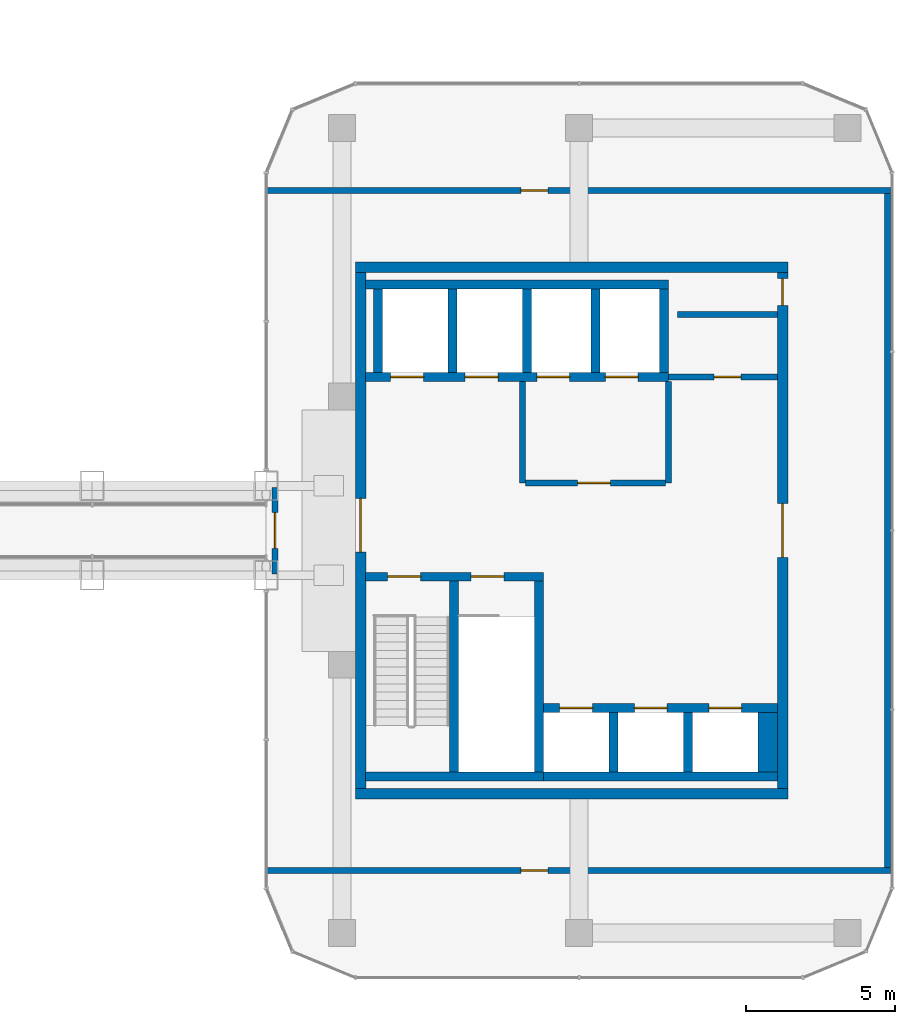
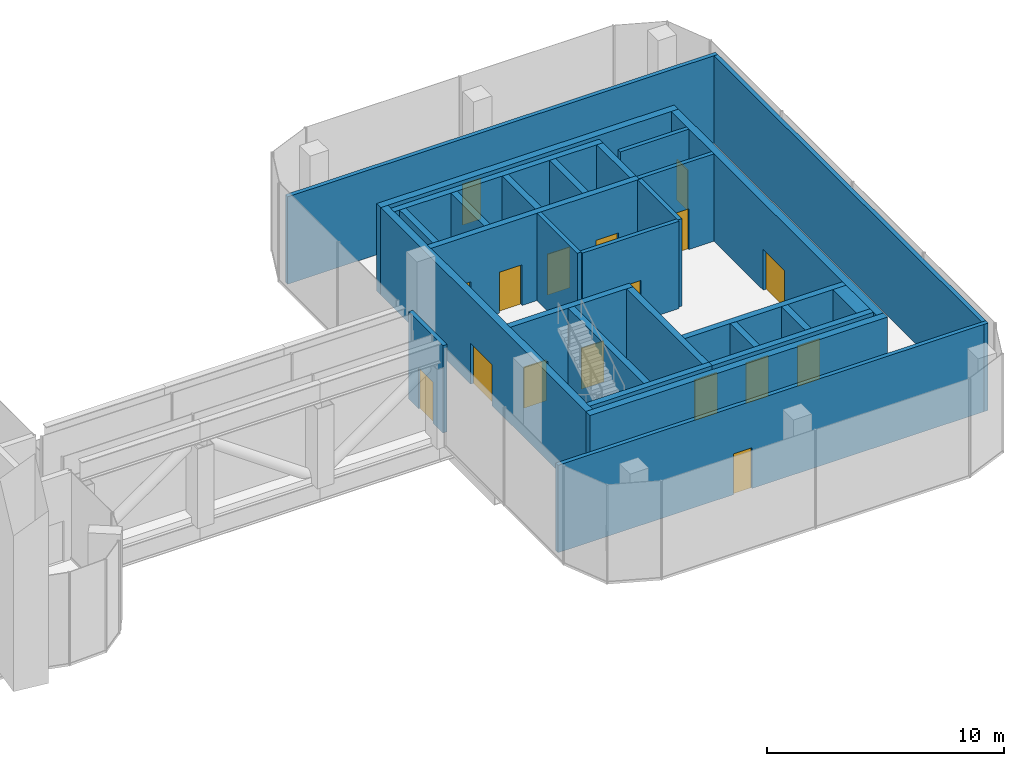
# One storey, part 18 of 23: 29 walls, 17 doors, 17 openings.
"""IFC4 building model written with IfcOpenShell, lengths in metres."""

from ifc_helpers import new_model, si_unit, direction, frame, frame_2d, origin, place, context, subcontext, project, spatial, rectangle, extrude, material, layer, layer_set, type_object, element, fill, save


model = new_model("IFC4")

# Units and contexts
model_context = context("Model", 3, precision=1e-05, world=origin(), true_north=direction((0.0, 1.0)))
body_context = subcontext(model_context, "Body", "Model", "MODEL_VIEW")
ifc_project = project(units=[si_unit("LENGTHUNIT", "METRE"), si_unit("AREAUNIT", "SQUARE_METRE"), si_unit("VOLUMEUNIT", "CUBIC_METRE"), si_unit("PLANEANGLEUNIT", "RADIAN"), si_unit("MASSUNIT", "GRAM", prefix="KILO")], contexts=[model_context])

# Site, building, storey
site_placement = place(None, origin())
site = spatial("IfcSite", under=ifc_project, at=site_placement, CompositionType="ELEMENT")
building_placement = place(site_placement, origin())
building = spatial("IfcBuilding", under=site, at=building_placement, Name="Plateau Cross Towers", CompositionType="ELEMENT")
storey_placement = place(building_placement, frame((0.0, 0.0, 123.800048828125)))
storey = spatial("IfcBuildingStorey", under=building, at=storey_placement, Name="L32", CompositionType="ELEMENT", Elevation=123.800048828125)

# Wall
ifc_material_1 = material(Name="Concrete block, plastered both sides", Category="concrete")
ifc_layer_1 = layer(ifc_material_1, 0.199951171875)
ifc_layer_set_1 = layer_set([ifc_layer_1], Name="Concrete block, plastered both sides")
wall_type_1 = type_object("IfcWallType", Name="Core partition 200", PredefinedType="PARTITIONING", material=ifc_layer_set_1)
wall_1_placement = place(storey_placement, frame((80.60009765625, 10.60009765625, 0.0), z_axis=(0.0, 0.0, 1.0), x_axis=(0.0, 1.0, 0.0)))
element("IfcWall", 1, at=wall_1_placement, inside=storey, type_object=wall_type_1, Name="Core partition", PredefinedType="PARTITIONING", context=body_context, shape_type="SweptSolid", body=[
    extrude(rectangle(XDim=3.39990234375, YDim=0.199951171875, at=frame_2d((1.699951171875, 0.0))), origin(), (0.0, 0.0, 1.0), 4.5),
])

# Wall, opening, door
wall_2_placement = place(storey_placement, frame((80.699951171875, 10.60009765625, 0.0), z_axis=(0.0, 0.0, 1.0), x_axis=(1.0, 0.0, 0.0)))
wall_2 = element("IfcWall", 2, at=wall_2_placement, inside=storey, type_object=wall_type_1, Name="Core partition", PredefinedType="PARTITIONING", context=body_context, shape_type="SweptSolid", body=[
    extrude(rectangle(XDim=4.699951171875, YDim=0.199951171875, at=frame_2d((2.35009765625, 0.0))), origin(), (0.0, 0.0, 1.0), 4.5),
])
opening_1_placement = place(wall_2_placement, frame((1.75, 0.0, 0.0)))
opening_1 = element("IfcOpeningElement", 3, at=opening_1_placement, cuts=wall_2, Name="Opening FFD", PredefinedType="OPENING", context=body_context, shape_type="SweptSolid", body=[
    extrude(rectangle(XDim=1.10009765625, YDim=2.10009765625, at=frame_2d((0.550048828125, 1.050048828125))), frame((0.0, 0.10986328125, 0.0), z_axis=(0.0, -1.0, 0.0), x_axis=(1.0, 0.0, 0.0)), (0.0, 0.0, 1.0), 0.219970703125),
])
ifc_material_2 = material(Name="Steel, fire-resisting leaf", Category="steel")
door_type_1 = type_object("IfcDoorType", Name="Firefighting lobby door 1100", OperationType="NOTDEFINED", PredefinedType="DOOR", material=ifc_material_2)
door_1_placement = place(opening_1_placement, origin())
door_1 = element("IfcDoor", 4, at=door_1_placement, inside=storey, type_object=door_type_1, Name="Firefighting lobby door FFD", OperationType="SINGLE_SWING_LEFT", OverallHeight=2.10009765625, OverallWidth=1.10009765625, PredefinedType="DOOR", context=body_context, shape_type="SweptSolid", body=[
    extrude(rectangle(XDim=1.10009765625, YDim=2.10009765625, at=frame_2d((0.550048828125, 1.050048828125))), frame((0.0, 0.02490234375, 0.0), z_axis=(0.0, -1.0, 0.0), x_axis=(1.0, 0.0, 0.0)), (0.0, 0.0, 1.0), 0.050048828125),
])
fill(opening_1, door_1)

# Wall
wall_3_placement = place(storey_placement, frame((85.5, 10.60009765625, 0.0), z_axis=(0.0, 0.0, 1.0), x_axis=(0.0, 1.0, 0.0)))
element("IfcWall", 5, at=wall_3_placement, inside=storey, type_object=wall_type_1, Name="Core partition", PredefinedType="PARTITIONING", context=body_context, shape_type="SweptSolid", body=[
    extrude(rectangle(XDim=3.39990234375, YDim=0.199951171875, at=frame_2d((1.699951171875, 0.0))), origin(), (0.0, 0.0, 1.0), 4.5),
])

# Wall, opening, door
wall_4_placement = place(storey_placement, frame((85.5, 14.14990234375, 0.0), z_axis=(0.0, 0.0, 1.0), x_axis=(1.0, 0.0, 0.0)))
wall_4 = element("IfcWall", 6, at=wall_4_placement, inside=storey, type_object=wall_type_1, Name="Core partition", PredefinedType="PARTITIONING", context=body_context, shape_type="SweptSolid", body=[
    extrude(rectangle(XDim=3.64990234375, YDim=0.199951171875, at=frame_2d((1.824951171875, 0.0))), origin(), (0.0, 0.0, 1.0), 4.5),
])
opening_2_placement = place(wall_4_placement, frame((1.52490234375, 0.0, 0.0)))
opening_2 = element("IfcOpeningElement", 7, at=opening_2_placement, cuts=wall_4, Name="Opening RD2", PredefinedType="OPENING", context=body_context, shape_type="SweptSolid", body=[
    extrude(rectangle(XDim=0.89990234375, YDim=2.10009765625, at=frame_2d((0.449951171875, 1.050048828125))), frame((0.0, 0.10986328125, 0.0), z_axis=(0.0, -1.0, 0.0), x_axis=(1.0, 0.0, 0.0)), (0.0, 0.0, 1.0), 0.219970703125),
])
door_type_2 = type_object("IfcDoorType", Name="Core riser door 900", OperationType="NOTDEFINED", PredefinedType="DOOR", material=ifc_material_2)
door_2_placement = place(opening_2_placement, origin())
door_2 = element("IfcDoor", 8, at=door_2_placement, inside=storey, type_object=door_type_2, Name="Core riser door RD2", OperationType="SINGLE_SWING_LEFT", OverallHeight=2.10009765625, OverallWidth=0.89990234375, PredefinedType="DOOR", context=body_context, shape_type="SweptSolid", body=[
    extrude(rectangle(XDim=0.89990234375, YDim=2.10009765625, at=frame_2d((0.449951171875, 1.050048828125))), frame((0.0, 0.02490234375, 0.0), z_axis=(0.0, -1.0, 0.0), x_axis=(1.0, 0.0, 0.0)), (0.0, 0.0, 1.0), 0.050048828125),
])
fill(opening_2, door_2)

# Walls
wall_5_placement = place(storey_placement, frame((85.800048828125, 16.25, 0.0), z_axis=(0.0, 0.0, 1.0), x_axis=(1.0, 0.0, 0.0)))
element("IfcWall", 9, at=wall_5_placement, inside=storey, type_object=wall_type_1, Name="Core partition", PredefinedType="PARTITIONING", context=body_context, shape_type="SweptSolid", body=[
    extrude(rectangle(XDim=3.349853515625, YDim=0.199951171875, at=frame_2d((1.6748046875, 0.0))), origin(), (0.0, 0.0, 1.0), 4.5),
])
ifc_material_3 = material(Name="Concrete C60/75", Category="concrete")
ifc_layer_2 = layer(ifc_material_3, 0.300048828125)
ifc_layer_set_2 = layer_set([ifc_layer_2], Name="Concrete C60/75")
wall_type_2 = type_object("IfcWallType", Name="Core shaft wall 300", PredefinedType="SHEAR", material=ifc_layer_set_2)
wall_6_placement = place(storey_placement, frame((75.330078125, 0.75, 0.0), z_axis=(0.0, 0.0, 1.0), x_axis=(1.0, 0.0, 0.0)))
element("IfcWall", 10, at=wall_6_placement, inside=storey, type_object=wall_type_2, Name="B-sb-stS@L32", PredefinedType="SHEAR", context=body_context, shape_type="SweptSolid", body=[
    extrude(rectangle(XDim=5.969970703125, YDim=0.300048828125, at=frame_2d((2.98486328125, 0.0))), origin(), (0.0, 0.0, 1.0), 4.5),
])

# Wall, openings, doors
wall_7_placement = place(storey_placement, frame((75.330078125, 7.449951171875, 0.0), z_axis=(0.0, 0.0, 1.0), x_axis=(1.0, 0.0, 0.0)))
wall_7 = element("IfcWall", 11, at=wall_7_placement, inside=storey, type_object=wall_type_2, Name="B-sb-stN@L32", PredefinedType="SHEAR", context=body_context, shape_type="SweptSolid", body=[
    extrude(rectangle(XDim=5.969970703125, YDim=0.300048828125, at=frame_2d((2.98486328125, 0.0))), origin(), (0.0, 0.0, 1.0), 4.5),
])
opening_3_placement = place(wall_7_placement, frame((0.75, 0.0, 0.0)))
opening_3 = element("IfcOpeningElement", 12, at=opening_3_placement, cuts=wall_7, Name="Opening SD", PredefinedType="OPENING", context=body_context, shape_type="SweptSolid", body=[
    extrude(rectangle(XDim=1.10009765625, YDim=2.10009765625, at=frame_2d((0.550048828125, 1.050048828125))), frame((0.0, 0.159912109375, 0.0), z_axis=(0.0, -1.0, 0.0), x_axis=(1.0, 0.0, 0.0)), (0.0, 0.0, 1.0), 0.320068359375),
])
opening_4_placement = place(wall_7_placement, frame((3.550048828125, 0.0, 0.0)))
opening_4 = element("IfcOpeningElement", 13, at=opening_4_placement, cuts=wall_7, Name="Opening SD", PredefinedType="OPENING", context=body_context, shape_type="SweptSolid", body=[
    extrude(rectangle(XDim=1.10009765625, YDim=2.10009765625, at=frame_2d((0.550048828125, 1.050048828125))), frame((0.0, 0.159912109375, 0.0), z_axis=(0.0, -1.0, 0.0), x_axis=(1.0, 0.0, 0.0)), (0.0, 0.0, 1.0), 0.320068359375),
])
door_type_3 = type_object("IfcDoorType", Name="Stair door 1100", OperationType="NOTDEFINED", PredefinedType="DOOR", material=ifc_material_2)
door_3_placement = place(opening_3_placement, origin())
door_3 = element("IfcDoor", 14, at=door_3_placement, inside=storey, type_object=door_type_3, Name="Stair door SD", OperationType="SINGLE_SWING_RIGHT", OverallHeight=2.10009765625, OverallWidth=1.10009765625, PredefinedType="DOOR", context=body_context, shape_type="SweptSolid", body=[
    extrude(rectangle(XDim=1.10009765625, YDim=2.10009765625, at=frame_2d((0.550048828125, 1.050048828125))), frame((0.0, 0.02490234375, 0.0), z_axis=(0.0, -1.0, 0.0), x_axis=(1.0, 0.0, 0.0)), (0.0, 0.0, 1.0), 0.050048828125),
])
fill(opening_3, door_3)
door_4_placement = place(opening_4_placement, origin())
door_4 = element("IfcDoor", 15, at=door_4_placement, inside=storey, type_object=door_type_3, Name="Stair door SD", OperationType="SINGLE_SWING_LEFT", OverallHeight=2.10009765625, OverallWidth=1.10009765625, PredefinedType="DOOR", context=body_context, shape_type="SweptSolid", body=[
    extrude(rectangle(XDim=1.10009765625, YDim=2.10009765625, at=frame_2d((0.550048828125, 1.050048828125))), frame((0.0, 0.02490234375, 0.0), z_axis=(0.0, -1.0, 0.0), x_axis=(1.0, 0.0, 0.0)), (0.0, 0.0, 1.0), 0.050048828125),
])
fill(opening_4, door_4)

# Walls
for number, where, z_axis, x_axis, name in (
    (16, (78.300048828125, 0.89990234375, 0.0), (0.0, 0.0, 1.0), (0.0, 1.0, 0.0), "B-sb-st1@L32"),
    (17, (81.14990234375, 0.89990234375, 0.0), (0.0, 0.0, 1.0), (0.0, 1.0, 0.0), "B-sb-st2@L32"),
):
    element("IfcWall", number, at=place(storey_placement, frame(where, z_axis=z_axis, x_axis=x_axis)), inside=storey, type_object=wall_type_2, Name=name, PredefinedType="SHEAR", context=body_context, shape_type="SweptSolid", body=[
        extrude(rectangle(XDim=6.400146484375, YDim=0.300048828125, at=frame_2d((3.2001953125, 0.0))), origin(), (0.0, 0.0, 1.0), 4.5),
    ])
wall_8_placement = place(storey_placement, frame((81.300048828125, 0.75, 0.0), z_axis=(0.0, 0.0, 1.0), x_axis=(1.0, 0.0, 0.0)))
element("IfcWall", 18, at=wall_8_placement, inside=storey, type_object=wall_type_2, Name="B-sb-back@L32", PredefinedType="SHEAR", context=body_context, shape_type="SweptSolid", body=[
    extrude(rectangle(XDim=7.849853515625, YDim=0.300048828125, at=frame_2d((3.9248046875, 0.0))), origin(), (0.0, 0.0, 1.0), 4.5),
])
for number, where, z_axis, x_axis, name in (
    (19, (83.64990234375, 0.89990234375, 0.0), (0.0, 0.0, 1.0), (0.0, 1.0, 0.0), "B-sb-v1@L32"),
    (20, (86.14990234375, 0.89990234375, 0.0), (0.0, 0.0, 1.0), (0.0, 1.0, 0.0), "B-sb-v2@L32"),
):
    element("IfcWall", number, at=place(storey_placement, frame(where, z_axis=z_axis, x_axis=x_axis)), inside=storey, type_object=wall_type_2, Name=name, PredefinedType="SHEAR", context=body_context, shape_type="SweptSolid", body=[
        extrude(rectangle(XDim=2.0, YDim=0.300048828125, at=frame_2d((1.0, 0.0))), origin(), (0.0, 0.0, 1.0), 4.5),
    ])

# Wall, openings, doors
wall_9_placement = place(storey_placement, frame((81.300048828125, 3.050048828125, 0.0), z_axis=(0.0, 0.0, 1.0), x_axis=(1.0, 0.0, 0.0)))
wall_9 = element("IfcWall", 21, at=wall_9_placement, inside=storey, type_object=wall_type_2, Name="B-sb-front@L32", PredefinedType="SHEAR", context=body_context, shape_type="SweptSolid", body=[
    extrude(rectangle(XDim=7.849853515625, YDim=0.300048828125, at=frame_2d((3.9248046875, 0.0))), origin(), (0.0, 0.0, 1.0), 4.5),
])
opening_5_placement = place(wall_9_placement, frame((0.550048828125, 0.0, 0.0)))
opening_5 = element("IfcOpeningElement", 22, at=opening_5_placement, cuts=wall_9, Name="Opening LD", PredefinedType="OPENING", context=body_context, shape_type="SweptSolid", body=[
    extrude(rectangle(XDim=1.10009765625, YDim=2.10009765625, at=frame_2d((0.550048828125, 1.050048828125))), frame((0.0, 0.159912109375, 0.0), z_axis=(0.0, -1.0, 0.0), x_axis=(1.0, 0.0, 0.0)), (0.0, 0.0, 1.0), 0.320068359375),
])
opening_6_placement = place(wall_9_placement, frame((3.050048828125, 0.0, 0.0)))
opening_6 = element("IfcOpeningElement", 23, at=opening_6_placement, cuts=wall_9, Name="Opening LD", PredefinedType="OPENING", context=body_context, shape_type="SweptSolid", body=[
    extrude(rectangle(XDim=1.10009765625, YDim=2.10009765625, at=frame_2d((0.550048828125, 1.050048828125))), frame((0.0, 0.159912109375, 0.0), z_axis=(0.0, -1.0, 0.0), x_axis=(1.0, 0.0, 0.0)), (0.0, 0.0, 1.0), 0.320068359375),
])
opening_7_placement = place(wall_9_placement, frame((5.550048828125, 0.0, 0.0)))
opening_7 = element("IfcOpeningElement", 24, at=opening_7_placement, cuts=wall_9, Name="Opening LD", PredefinedType="OPENING", context=body_context, shape_type="SweptSolid", body=[
    extrude(rectangle(XDim=1.10009765625, YDim=2.10009765625, at=frame_2d((0.550048828125, 1.050048828125))), frame((0.0, 0.159912109375, 0.0), z_axis=(0.0, -1.0, 0.0), x_axis=(1.0, 0.0, 0.0)), (0.0, 0.0, 1.0), 0.320068359375),
])
ifc_material_4 = material(Name="Stainless steel, fire-resisting sliding leaves", Category="steel")
door_type_4 = type_object("IfcDoorType", Name="Lift landing door 1100", OperationType="NOTDEFINED", PredefinedType="DOOR", material=ifc_material_4)
door_5_placement = place(opening_5_placement, origin())
door_5 = element("IfcDoor", 25, at=door_5_placement, inside=storey, type_object=door_type_4, Name="Lift landing door LD", OperationType="DOUBLE_DOOR_SLIDING", OverallHeight=2.10009765625, OverallWidth=1.10009765625, PredefinedType="DOOR", context=body_context, shape_type="SweptSolid", body=[
    extrude(rectangle(XDim=1.10009765625, YDim=2.10009765625, at=frame_2d((0.550048828125, 1.050048828125))), frame((0.0, 0.02490234375, 0.0), z_axis=(0.0, -1.0, 0.0), x_axis=(1.0, 0.0, 0.0)), (0.0, 0.0, 1.0), 0.050048828125),
])
fill(opening_5, door_5)
door_6_placement = place(opening_6_placement, origin())
door_6 = element("IfcDoor", 26, at=door_6_placement, inside=storey, type_object=door_type_4, Name="Lift landing door LD", OperationType="DOUBLE_DOOR_SLIDING", OverallHeight=2.10009765625, OverallWidth=1.10009765625, PredefinedType="DOOR", context=body_context, shape_type="SweptSolid", body=[
    extrude(rectangle(XDim=1.10009765625, YDim=2.10009765625, at=frame_2d((0.550048828125, 1.050048828125))), frame((0.0, 0.02490234375, 0.0), z_axis=(0.0, -1.0, 0.0), x_axis=(1.0, 0.0, 0.0)), (0.0, 0.0, 1.0), 0.050048828125),
])
fill(opening_6, door_6)
door_7_placement = place(opening_7_placement, origin())
door_7 = element("IfcDoor", 27, at=door_7_placement, inside=storey, type_object=door_type_4, Name="Lift landing door LD", OperationType="DOUBLE_DOOR_SLIDING", OverallHeight=2.10009765625, OverallWidth=1.10009765625, PredefinedType="DOOR", context=body_context, shape_type="SweptSolid", body=[
    extrude(rectangle(XDim=1.10009765625, YDim=2.10009765625, at=frame_2d((0.550048828125, 1.050048828125))), frame((0.0, 0.02490234375, 0.0), z_axis=(0.0, -1.0, 0.0), x_axis=(1.0, 0.0, 0.0)), (0.0, 0.0, 1.0), 0.050048828125),
])
fill(opening_7, door_7)

# Wall
wall_10_placement = place(storey_placement, frame((75.330078125, 17.25, 0.0), z_axis=(0.0, 0.0, 1.0), x_axis=(1.0, 0.0, 0.0)))
element("IfcWall", 28, at=wall_10_placement, inside=storey, type_object=wall_type_2, Name="B-nb-back@L32", PredefinedType="SHEAR", context=body_context, shape_type="SweptSolid", body=[
    extrude(rectangle(XDim=10.169921875, YDim=0.300048828125, at=frame_2d((5.0849609375, 0.0))), origin(), (0.0, 0.0, 1.0), 4.5),
])

# Wall, openings, doors
wall_11_placement = place(storey_placement, frame((75.330078125, 14.14990234375, 0.0), z_axis=(0.0, 0.0, 1.0), x_axis=(1.0, 0.0, 0.0)))
wall_11 = element("IfcWall", 29, at=wall_11_placement, inside=storey, type_object=wall_type_2, Name="B-nb-front@L32", PredefinedType="SHEAR", context=body_context, shape_type="SweptSolid", body=[
    extrude(rectangle(XDim=10.169921875, YDim=0.300048828125, at=frame_2d((5.0849609375, 0.0))), origin(), (0.0, 0.0, 1.0), 4.5),
])
opening_8_placement = place(wall_11_placement, frame((0.85009765625, 0.0, 0.0)))
opening_8 = element("IfcOpeningElement", 30, at=opening_8_placement, cuts=wall_11, Name="Opening LD", PredefinedType="OPENING", context=body_context, shape_type="SweptSolid", body=[
    extrude(rectangle(XDim=1.10009765625, YDim=2.10009765625, at=frame_2d((0.550048828125, 1.050048828125))), frame((0.0, 0.159912109375, 0.0), z_axis=(0.0, -1.0, 0.0), x_axis=(1.0, 0.0, 0.0)), (0.0, 0.0, 1.0), 0.320068359375),
])
opening_9_placement = place(wall_11_placement, frame((3.35009765625, 0.0, 0.0)))
opening_9 = element("IfcOpeningElement", 31, at=opening_9_placement, cuts=wall_11, Name="Opening LD", PredefinedType="OPENING", context=body_context, shape_type="SweptSolid", body=[
    extrude(rectangle(XDim=1.10009765625, YDim=2.10009765625, at=frame_2d((0.550048828125, 1.050048828125))), frame((0.0, 0.159912109375, 0.0), z_axis=(0.0, -1.0, 0.0), x_axis=(1.0, 0.0, 0.0)), (0.0, 0.0, 1.0), 0.320068359375),
])
opening_10_placement = place(wall_11_placement, frame((5.75, 0.0, 0.0)))
opening_10 = element("IfcOpeningElement", 32, at=opening_10_placement, cuts=wall_11, Name="Opening LD", PredefinedType="OPENING", context=body_context, shape_type="SweptSolid", body=[
    extrude(rectangle(XDim=1.10009765625, YDim=2.10009765625, at=frame_2d((0.550048828125, 1.050048828125))), frame((0.0, 0.159912109375, 0.0), z_axis=(0.0, -1.0, 0.0), x_axis=(1.0, 0.0, 0.0)), (0.0, 0.0, 1.0), 0.320068359375),
])
opening_11_placement = place(wall_11_placement, frame((8.050048828125, 0.0, 0.0)))
opening_11 = element("IfcOpeningElement", 33, at=opening_11_placement, cuts=wall_11, Name="Opening LD", PredefinedType="OPENING", context=body_context, shape_type="SweptSolid", body=[
    extrude(rectangle(XDim=1.10009765625, YDim=2.10009765625, at=frame_2d((0.550048828125, 1.050048828125))), frame((0.0, 0.159912109375, 0.0), z_axis=(0.0, -1.0, 0.0), x_axis=(1.0, 0.0, 0.0)), (0.0, 0.0, 1.0), 0.320068359375),
])
door_8_placement = place(opening_8_placement, origin())
door_8 = element("IfcDoor", 34, at=door_8_placement, inside=storey, type_object=door_type_4, Name="Lift landing door LD", OperationType="DOUBLE_DOOR_SLIDING", OverallHeight=2.10009765625, OverallWidth=1.10009765625, PredefinedType="DOOR", context=body_context, shape_type="SweptSolid", body=[
    extrude(rectangle(XDim=1.10009765625, YDim=2.10009765625, at=frame_2d((0.550048828125, 1.050048828125))), frame((0.0, 0.02490234375, 0.0), z_axis=(0.0, -1.0, 0.0), x_axis=(1.0, 0.0, 0.0)), (0.0, 0.0, 1.0), 0.050048828125),
])
fill(opening_8, door_8)
door_9_placement = place(opening_9_placement, origin())
door_9 = element("IfcDoor", 35, at=door_9_placement, inside=storey, type_object=door_type_4, Name="Lift landing door LD", OperationType="DOUBLE_DOOR_SLIDING", OverallHeight=2.10009765625, OverallWidth=1.10009765625, PredefinedType="DOOR", context=body_context, shape_type="SweptSolid", body=[
    extrude(rectangle(XDim=1.10009765625, YDim=2.10009765625, at=frame_2d((0.550048828125, 1.050048828125))), frame((0.0, 0.02490234375, 0.0), z_axis=(0.0, -1.0, 0.0), x_axis=(1.0, 0.0, 0.0)), (0.0, 0.0, 1.0), 0.050048828125),
])
fill(opening_9, door_9)
door_10_placement = place(opening_10_placement, origin())
door_10 = element("IfcDoor", 36, at=door_10_placement, inside=storey, type_object=door_type_4, Name="Lift landing door LD", OperationType="DOUBLE_DOOR_SLIDING", OverallHeight=2.10009765625, OverallWidth=1.10009765625, PredefinedType="DOOR", context=body_context, shape_type="SweptSolid", body=[
    extrude(rectangle(XDim=1.10009765625, YDim=2.10009765625, at=frame_2d((0.550048828125, 1.050048828125))), frame((0.0, 0.02490234375, 0.0), z_axis=(0.0, -1.0, 0.0), x_axis=(1.0, 0.0, 0.0)), (0.0, 0.0, 1.0), 0.050048828125),
])
fill(opening_10, door_10)
door_11_placement = place(opening_11_placement, origin())
door_11 = element("IfcDoor", 37, at=door_11_placement, inside=storey, type_object=door_type_4, Name="Lift landing door LD", OperationType="DOUBLE_DOOR_SLIDING", OverallHeight=2.10009765625, OverallWidth=1.10009765625, PredefinedType="DOOR", context=body_context, shape_type="SweptSolid", body=[
    extrude(rectangle(XDim=1.10009765625, YDim=2.10009765625, at=frame_2d((0.550048828125, 1.050048828125))), frame((0.0, 0.02490234375, 0.0), z_axis=(0.0, -1.0, 0.0), x_axis=(1.0, 0.0, 0.0)), (0.0, 0.0, 1.0), 0.050048828125),
])
fill(opening_11, door_11)

# Walls
for number, where, z_axis, x_axis, name in (
    (38, (75.75, 14.300048828125, 0.0), (0.0, 0.0, 1.0), (0.0, 1.0, 0.0), "B-nb-v0@L32"),
    (39, (78.25, 14.300048828125, 0.0), (0.0, 0.0, 1.0), (0.0, 1.0, 0.0), "B-nb-v1@L32"),
    (40, (80.75, 14.300048828125, 0.0), (0.0, 0.0, 1.0), (0.0, 1.0, 0.0), "B-nb-v2@L32"),
    (41, (83.050048828125, 14.300048828125, 0.0), (0.0, 0.0, 1.0), (0.0, 1.0, 0.0), "B-nb-v3@L32"),
    (42, (85.35009765625, 14.300048828125, 0.0), (0.0, 0.0, 1.0), (0.0, 1.0, 0.0), "B-nb-v4@L32"),
):
    element("IfcWall", number, at=place(storey_placement, frame(where, z_axis=z_axis, x_axis=x_axis)), inside=storey, type_object=wall_type_2, Name=name, PredefinedType="SHEAR", context=body_context, shape_type="SweptSolid", body=[
        extrude(rectangle(XDim=2.800048828125, YDim=0.300048828125, at=frame_2d((1.39990234375, 0.0))), origin(), (0.0, 0.0, 1.0), 4.5),
    ])
ifc_layer_3 = layer(ifc_material_3, 0.64990234375)
ifc_layer_set_3 = layer_set([ifc_layer_3], Name="Concrete C60/75")
wall_type_3 = type_object("IfcWallType", Name="Core shaft wall 650", PredefinedType="SHEAR", material=ifc_layer_set_3)
wall_12_placement = place(storey_placement, frame((88.824951171875, 0.89990234375, 0.0), z_axis=(0.0, 0.0, 1.0), x_axis=(0.0, 1.0, 0.0)))
element("IfcWall", 43, at=wall_12_placement, inside=storey, type_object=wall_type_3, Name="B-sb-v3@L32", PredefinedType="SHEAR", context=body_context, shape_type="SweptSolid", body=[
    extrude(rectangle(XDim=2.0, YDim=0.64990234375, at=frame_2d((1.0, 0.0))), origin(), (0.0, 0.0, 1.0), 4.5),
])
ifc_layer_4 = layer(ifc_material_3, 0.35009765625)
ifc_layer_set_4 = layer_set([ifc_layer_4], Name="Concrete C60/75")
wall_type_4 = type_object("IfcWallType", Name="Core shell wall 350", PredefinedType="SHEAR", material=ifc_layer_set_4)
for number, where, z_axis, x_axis, name in (
    (44, (75.0, 0.175048828125, 0.0), (0.0, 0.0, 1.0), (1.0, 0.0, 0.0), "B-core-S@L32"),
    (45, (75.0, 17.824951171875, 0.0), (0.0, 0.0, 1.0), (1.0, 0.0, 0.0), "B-core-N@L32"),
):
    element("IfcWall", number, at=place(storey_placement, frame(where, z_axis=z_axis, x_axis=x_axis)), inside=storey, type_object=wall_type_4, Name=name, PredefinedType="SHEAR", context=body_context, shape_type="SweptSolid", body=[
        extrude(rectangle(XDim=14.5, YDim=0.35009765625, at=frame_2d((7.25, 0.0))), origin(), (0.0, 0.0, 1.0), 4.5),
    ])

# Wall, opening, door
wall_13_placement = place(storey_placement, frame((75.175048828125, 0.35009765625, 0.0), z_axis=(0.0, 0.0, 1.0), x_axis=(0.0, 1.0, 0.0)))
wall_13 = element("IfcWall", 46, at=wall_13_placement, inside=storey, type_object=wall_type_4, Name="B-core-W@L32", PredefinedType="SHEAR", context=body_context, shape_type="SweptSolid", body=[
    extrude(rectangle(XDim=17.2998046875, YDim=0.35009765625, at=frame_2d((8.64990234375, 0.0))), origin(), (0.0, 0.0, 1.0), 4.5),
])
opening_12_placement = place(wall_13_placement, frame((7.925048828125, 0.0, 0.0)))
opening_12 = element("IfcOpeningElement", 47, at=opening_12_placement, cuts=wall_13, Name="Opening CD", PredefinedType="OPENING", context=body_context, shape_type="SweptSolid", body=[
    extrude(rectangle(XDim=1.800048828125, YDim=2.10009765625, at=frame_2d((0.89990234375, 1.050048828125))), frame((0.0, 0.18505859375, 0.0), z_axis=(0.0, -1.0, 0.0), x_axis=(1.0, 0.0, 0.0)), (0.0, 0.0, 1.0), 0.3701171875),
])
ifc_material_5 = material(Name="Steel, fire-resisting leaves", Category="steel")
door_type_5 = type_object("IfcDoorType", Name="Corridor door pair 1800", OperationType="NOTDEFINED", PredefinedType="DOOR", material=ifc_material_5)
door_12_placement = place(opening_12_placement, origin())
door_12 = element("IfcDoor", 48, at=door_12_placement, inside=storey, type_object=door_type_5, Name="Corridor door pair CD", OperationType="DOUBLE_DOOR_SINGLE_SWING", OverallHeight=2.10009765625, OverallWidth=1.800048828125, PredefinedType="DOOR", context=body_context, shape_type="SweptSolid", body=[
    extrude(rectangle(XDim=1.800048828125, YDim=2.10009765625, at=frame_2d((0.89990234375, 1.050048828125))), frame((0.0, 0.02490234375, 0.0), z_axis=(0.0, -1.0, 0.0), x_axis=(1.0, 0.0, 0.0)), (0.0, 0.0, 1.0), 0.050048828125),
])
fill(opening_12, door_12)

# Wall, openings, doors
wall_14_placement = place(storey_placement, frame((89.324951171875, 0.35009765625, 0.0), z_axis=(0.0, 0.0, 1.0), x_axis=(0.0, 1.0, 0.0)))
wall_14 = element("IfcWall", 49, at=wall_14_placement, inside=storey, type_object=wall_type_4, Name="B-core-E@L32", PredefinedType="SHEAR", context=body_context, shape_type="SweptSolid", body=[
    extrude(rectangle(XDim=17.2998046875, YDim=0.35009765625, at=frame_2d((8.64990234375, 0.0))), origin(), (0.0, 0.0, 1.0), 4.5),
])
opening_13_placement = place(wall_14_placement, frame((7.75, 0.0, 0.0)))
opening_13 = element("IfcOpeningElement", 50, at=opening_13_placement, cuts=wall_14, Name="Opening CD", PredefinedType="OPENING", context=body_context, shape_type="SweptSolid", body=[
    extrude(rectangle(XDim=1.800048828125, YDim=2.10009765625, at=frame_2d((0.89990234375, 1.050048828125))), frame((0.0, 0.18505859375, 0.0), z_axis=(0.0, -1.0, 0.0), x_axis=(1.0, 0.0, 0.0)), (0.0, 0.0, 1.0), 0.3701171875),
])
opening_14_placement = place(wall_14_placement, frame((16.199951171875, 0.0, 0.0)))
opening_14 = element("IfcOpeningElement", 51, at=opening_14_placement, cuts=wall_14, Name="Opening RD2", PredefinedType="OPENING", context=body_context, shape_type="SweptSolid", body=[
    extrude(rectangle(XDim=0.89990234375, YDim=2.10009765625, at=frame_2d((0.449951171875, 1.050048828125))), frame((0.0, 0.18505859375, 0.0), z_axis=(0.0, -1.0, 0.0), x_axis=(1.0, 0.0, 0.0)), (0.0, 0.0, 1.0), 0.3701171875),
])
door_13_placement = place(opening_14_placement, origin())
door_13 = element("IfcDoor", 52, at=door_13_placement, inside=storey, type_object=door_type_2, Name="Core riser door RD2", OperationType="SINGLE_SWING_LEFT", OverallHeight=2.10009765625, OverallWidth=0.89990234375, PredefinedType="DOOR", context=body_context, shape_type="SweptSolid", body=[
    extrude(rectangle(XDim=0.89990234375, YDim=2.10009765625, at=frame_2d((0.449951171875, 1.050048828125))), frame((0.0, 0.02490234375, 0.0), z_axis=(0.0, -1.0, 0.0), x_axis=(1.0, 0.0, 0.0)), (0.0, 0.0, 1.0), 0.050048828125),
])
fill(opening_14, door_13)
door_14_placement = place(opening_13_placement, origin())
door_14 = element("IfcDoor", 53, at=door_14_placement, inside=storey, type_object=door_type_5, Name="Corridor door pair CD", OperationType="DOUBLE_DOOR_SINGLE_SWING", OverallHeight=2.10009765625, OverallWidth=1.800048828125, PredefinedType="DOOR", context=body_context, shape_type="SweptSolid", body=[
    extrude(rectangle(XDim=1.800048828125, YDim=2.10009765625, at=frame_2d((0.89990234375, 1.050048828125))), frame((0.0, 0.02490234375, 0.0), z_axis=(0.0, -1.0, 0.0), x_axis=(1.0, 0.0, 0.0)), (0.0, 0.0, 1.0), 0.050048828125),
])
fill(opening_13, door_14)

# Wall, opening, door
ifc_material_6 = material(Name="Gypsum board on steel studs, two layers each side", Category="steel")
ifc_layer_5 = layer(ifc_material_6, 0.199951171875)
ifc_layer_set_5 = layer_set([ifc_layer_5], Name="Gypsum board on steel studs, two layers each side")
wall_type_5 = type_object("IfcWallType", Name="Corridor wall 200", PredefinedType="PARTITIONING", material=ifc_layer_set_5)
wall_15_placement = place(storey_placement, frame((72.0, -2.39990234375, 0.0), z_axis=(0.0, 0.0, 1.0), x_axis=(1.0, 0.0, 0.0)))
wall_15 = element("IfcWall", 54, at=wall_15_placement, inside=storey, type_object=wall_type_5, Name="Ring wall", PredefinedType="PARTITIONING", context=body_context, shape_type="SweptSolid", body=[
    extrude(rectangle(XDim=20.949951171875, YDim=0.199951171875, at=frame_2d((10.47509765625, 0.0))), origin(), (0.0, 0.0, 1.0), 4.5),
])
opening_15_placement = place(wall_15_placement, frame((8.550048828125, 0.0, 0.0)))
opening_15 = element("IfcOpeningElement", 55, at=opening_15_placement, cuts=wall_15, Name="Opening D-BR9", PredefinedType="OPENING", context=body_context, shape_type="SweptSolid", body=[
    extrude(rectangle(XDim=0.89990234375, YDim=2.10009765625, at=frame_2d((0.449951171875, 1.050048828125))), frame((0.0, 0.10986328125, 0.0), z_axis=(0.0, -1.0, 0.0), x_axis=(1.0, 0.0, 0.0)), (0.0, 0.0, 1.0), 0.219970703125),
])
ifc_material_7 = material(Name="Timber leaf", Category="wood")
door_type_6 = type_object("IfcDoorType", Name="Office room door 900", OperationType="NOTDEFINED", PredefinedType="DOOR", material=ifc_material_7)
door_15_placement = place(opening_15_placement, origin())
door_15 = element("IfcDoor", 56, at=door_15_placement, inside=storey, type_object=door_type_6, Name="Door D-BR9", OperationType="SINGLE_SWING_LEFT", OverallHeight=2.10009765625, OverallWidth=0.89990234375, PredefinedType="DOOR", context=body_context, shape_type="SweptSolid", body=[
    extrude(rectangle(XDim=0.89990234375, YDim=2.10009765625, at=frame_2d((0.449951171875, 1.050048828125))), frame((0.0, 0.02490234375, 0.0), z_axis=(0.0, -1.0, 0.0), x_axis=(1.0, 0.0, 0.0)), (0.0, 0.0, 1.0), 0.050048828125),
])
fill(opening_15, door_15)

wall_16_placement = place(storey_placement, frame((72.0, 20.39990234375, 0.0), z_axis=(0.0, 0.0, 1.0), x_axis=(1.0, 0.0, 0.0)))
wall_16 = element("IfcWall", 57, at=wall_16_placement, inside=storey, type_object=wall_type_5, Name="Ring wall", PredefinedType="PARTITIONING", context=body_context, shape_type="SweptSolid", body=[
    extrude(rectangle(XDim=20.949951171875, YDim=0.199951171875, at=frame_2d((10.47509765625, 0.0))), origin(), (0.0, 0.0, 1.0), 4.5),
])
opening_16_placement = place(wall_16_placement, frame((8.550048828125, 0.0, 0.0)))
opening_16 = element("IfcOpeningElement", 58, at=opening_16_placement, cuts=wall_16, Name="Opening D-BR9", PredefinedType="OPENING", context=body_context, shape_type="SweptSolid", body=[
    extrude(rectangle(XDim=0.89990234375, YDim=2.10009765625, at=frame_2d((0.449951171875, 1.050048828125))), frame((0.0, 0.10986328125, 0.0), z_axis=(0.0, -1.0, 0.0), x_axis=(1.0, 0.0, 0.0)), (0.0, 0.0, 1.0), 0.219970703125),
])
door_16_placement = place(opening_16_placement, origin())
door_16 = element("IfcDoor", 59, at=door_16_placement, inside=storey, type_object=door_type_6, Name="Door D-BR9", OperationType="SINGLE_SWING_LEFT", OverallHeight=2.10009765625, OverallWidth=0.89990234375, PredefinedType="DOOR", context=body_context, shape_type="SweptSolid", body=[
    extrude(rectangle(XDim=0.89990234375, YDim=2.10009765625, at=frame_2d((0.449951171875, 1.050048828125))), frame((0.0, 0.02490234375, 0.0), z_axis=(0.0, -1.0, 0.0), x_axis=(1.0, 0.0, 0.0)), (0.0, 0.0, 1.0), 0.050048828125),
])
fill(opening_16, door_16)

# Wall
wall_17_placement = place(storey_placement, frame((92.85009765625, -2.5, 0.0), z_axis=(0.0, 0.0, 1.0), x_axis=(0.0, 1.0, 0.0)))
element("IfcWall", 60, at=wall_17_placement, inside=storey, type_object=wall_type_5, Name="Ring wall", PredefinedType="PARTITIONING", context=body_context, shape_type="SweptSolid", body=[
    extrude(rectangle(XDim=23.0, YDim=0.199951171875, at=frame_2d((11.5, 0.0))), origin(), (0.0, 0.0, 1.0), 4.5),
])

# Wall, opening, door
wall_18_placement = place(storey_placement, frame((72.300048828125, 7.550048828125, 0.0), z_axis=(0.0, 0.0, 1.0), x_axis=(0.0, 1.0, 0.0)))
wall_18 = element("IfcWall", 61, at=wall_18_placement, inside=storey, type_object=wall_type_5, Name="Ring wall", PredefinedType="PARTITIONING", context=body_context, shape_type="SweptSolid", body=[
    extrude(rectangle(XDim=2.89990234375, YDim=0.199951171875, at=frame_2d((1.449951171875, 0.0))), origin(), (0.0, 0.0, 1.0), 4.5),
])
opening_17_placement = place(wall_18_placement, frame((0.85009765625, 0.0, 0.0)))
opening_17 = element("IfcOpeningElement", 62, at=opening_17_placement, cuts=wall_18, Name="Opening D-BF12", PredefinedType="OPENING", context=body_context, shape_type="SweptSolid", body=[
    extrude(rectangle(XDim=1.199951171875, YDim=2.10009765625, at=frame_2d((0.60009765625, 1.050048828125))), frame((0.0, 0.10986328125, 0.0), z_axis=(0.0, -1.0, 0.0), x_axis=(1.0, 0.0, 0.0)), (0.0, 0.0, 1.0), 0.219970703125),
])
door_type_7 = type_object("IfcDoorType", Name="Bridge fire door 1200", OperationType="NOTDEFINED", PredefinedType="DOOR", material=ifc_material_2)
door_17_placement = place(opening_17_placement, origin())
door_17 = element("IfcDoor", 63, at=door_17_placement, inside=storey, type_object=door_type_7, Name="Door D-BF12", OperationType="SINGLE_SWING_LEFT", OverallHeight=2.10009765625, OverallWidth=1.199951171875, PredefinedType="DOOR", context=body_context, shape_type="SweptSolid", body=[
    extrude(rectangle(XDim=1.199951171875, YDim=2.10009765625, at=frame_2d((0.60009765625, 1.050048828125))), frame((0.0, 0.02490234375, 0.0), z_axis=(0.0, -1.0, 0.0), x_axis=(1.0, 0.0, 0.0)), (0.0, 0.0, 1.0), 0.050048828125),
])
fill(opening_17, door_17)

save(model, "model.ifc")
